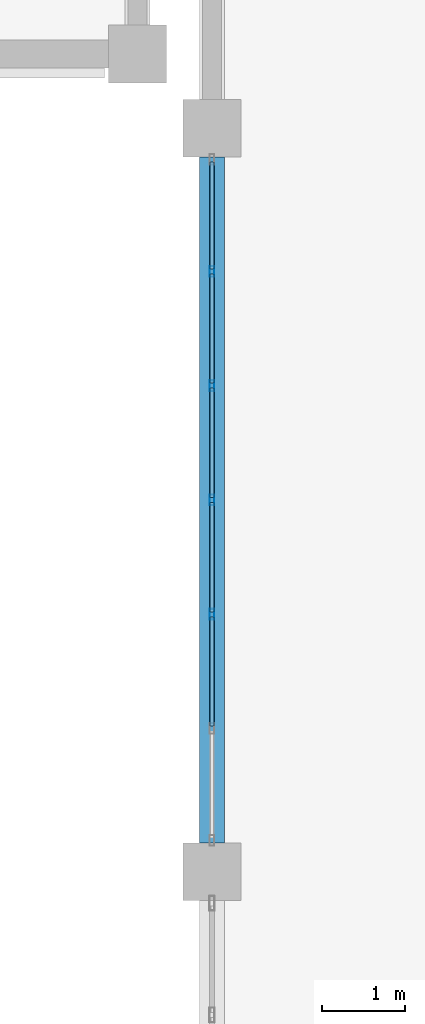
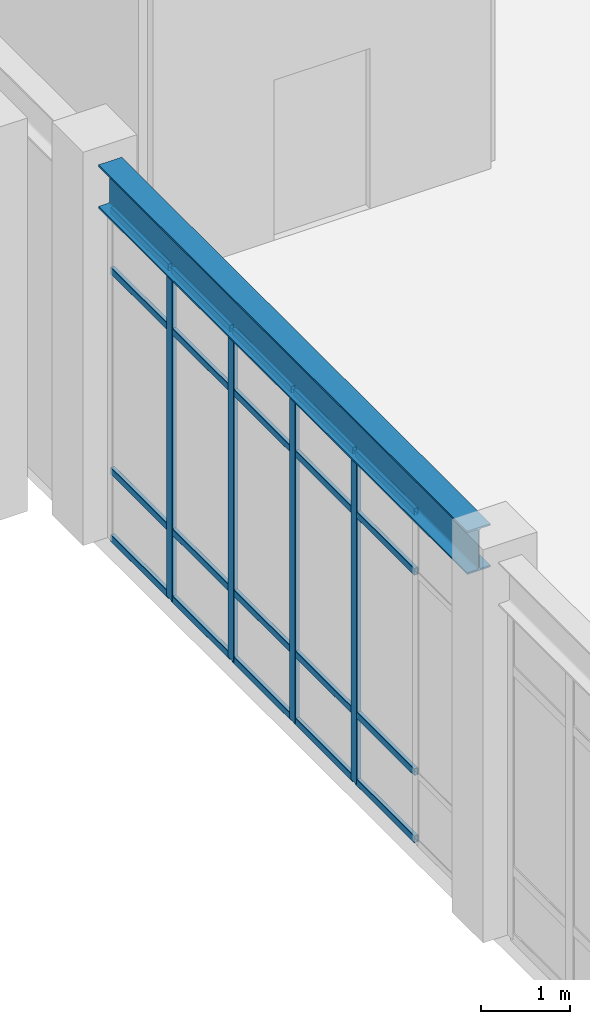
# One storey, part 35 of 80: 24 members, 1 beam, 1 element without a shape of its own.
"""IFC4 building model written with IfcOpenShell, lengths in metres."""

import ifcopenshell
import ifcopenshell.guid

model = None  # the IFC model being written
_history = None  # IfcOwnerHistory: only IFC2X3 demands one
_inside = {}  # id of a spatial element -> (the spatial element, [elements in it])
_under = {}  # id of a project, library or spatial element -> (it, [spatial elements below it])
_declared = {}  # id of a project -> (the project, [libraries it declares])
_typed = {}  # id of a type object -> (the type object, [elements of that type])
_made_of = {}  # id of a material, layer set ... -> (it, [elements and type objects made of it])


def new_model(schema):
    """Start an empty IFC model of exactly this schema.

    Asked for "IFC4X3", IfcOpenShell would pick the latest addendum, in which some entities
    have other attributes; the version numbers below select the first issue.
    IFC2X3 requires an IfcOwnerHistory on every rooted entity: one is made here for all.
    """
    global model, _history
    if schema == "IFC4X3":
        model = ifcopenshell.file(schema_version=(4, 3, 0, 0))
    else:
        model = ifcopenshell.file(schema=schema)
    _inside.clear()
    _under.clear()
    _declared.clear()
    _typed.clear()
    _made_of.clear()
    _history = None
    if model.schema == "IFC2X3":
        org = make("IfcOrganization", Name="unknown")
        user = make(
            "IfcPersonAndOrganization",
            ThePerson=make("IfcPerson", FamilyName="unknown"),
            TheOrganization=org,
        )
        app = make(
            "IfcApplication",
            ApplicationDeveloper=org,
            Version="unknown",
            ApplicationFullName="unknown",
            ApplicationIdentifier="unknown",
        )
        _history = make(
            "IfcOwnerHistory",
            OwningUser=user,
            OwningApplication=app,
            ChangeAction="ADDED",
            CreationDate=0,
        )
    return model


def make(cls, **values):
    """One entity of the class cls with the attributes given. An attribute that is None is left unset."""
    return model.create_entity(
        cls, **{name: value for name, value in values.items() if value is not None}
    )


def rooted(cls, **values):
    """An entity with a GlobalId (a new one), such as an element, a storey or a relation."""
    return make(cls, GlobalId=ifcopenshell.guid.new(), OwnerHistory=_history, **values)


def si_unit(unit_type, name, prefix=None):
    """IfcSIUnit, for example si_unit("LENGTHUNIT", "METRE", prefix="MILLI")."""
    return make("IfcSIUnit", UnitType=unit_type, Prefix=prefix, Name=name)


def assignment(units):
    """IfcUnitAssignment: the units of a project."""
    return None if units is None else make("IfcUnitAssignment", Units=units)


def point(xyz):
    """IfcCartesianPoint."""
    return None if xyz is None else make("IfcCartesianPoint", Coordinates=xyz)


def direction(xyz):
    """IfcDirection."""
    return None if xyz is None else make("IfcDirection", DirectionRatios=xyz)


def frame(location, z_axis=None, x_axis=None):
    """IfcAxis2Placement3D, a coordinate frame: its origin and axes. An axis left out is left unset."""
    return make(
        "IfcAxis2Placement3D",
        Location=point(location),
        Axis=direction(z_axis),
        RefDirection=direction(x_axis),
    )


def frame_2d(location, x_axis=None):
    """IfcAxis2Placement2D, a coordinate frame in the plane: its origin and x axis."""
    return make(
        "IfcAxis2Placement2D", Location=point(location), RefDirection=direction(x_axis)
    )


def origin():
    """The frame at (0, 0, 0) with its axes left unset."""
    return frame((0.0, 0.0, 0.0))


def origin_2d():
    """The frame at (0, 0) in the plane with its x axis left unset."""
    return frame_2d((0.0, 0.0))


def place(relative_to, where):
    """IfcLocalPlacement: puts the frame where relative to a parent placement (None: the world)."""
    return make(
        "IfcLocalPlacement", PlacementRelTo=relative_to, RelativePlacement=where
    )


def context(
    kind, dimensions, precision=None, world=None, true_north=None, identifier=None
):
    """IfcGeometricRepresentationContext, for example the 3D "Model" context."""
    return make(
        "IfcGeometricRepresentationContext",
        ContextIdentifier=identifier,
        ContextType=kind,
        CoordinateSpaceDimension=dimensions,
        Precision=precision,
        WorldCoordinateSystem=world,
        TrueNorth=true_north,
    )


def subcontext(parent, identifier, kind, view, scale=None):
    """IfcGeometricRepresentationSubContext, for example "Body" below "Model"."""
    return make(
        "IfcGeometricRepresentationSubContext",
        ContextIdentifier=identifier,
        ContextType=kind,
        ParentContext=parent,
        TargetScale=scale,
        TargetView=view,
    )


def project(units=None, contexts=None):
    """IfcProject with its units and contexts."""
    return rooted(
        "IfcProject",
        Name="project",
        RepresentationContexts=contexts,
        UnitsInContext=assignment(units),
    )


def spatial(cls, under=None, at=None, **own):
    """A site, building, storey or space (cls), placed at a placement, below another one or the project."""
    s = rooted(cls, ObjectPlacement=at, **own)
    if under is not None:
        _under.setdefault(under.id(), (under, []))[1].append(s)
    return s


def profile(cls, at=None, kind="AREA", **sizes):
    """A parametric profile (cls). Its sizes go by their IFC names, for example OverallWidth=200.0."""
    return make(cls, ProfileType=kind, Position=at, **sizes)


def hollow_rectangle(**sizes):
    """IfcRectangleHollowProfileDef."""
    return profile("IfcRectangleHollowProfileDef", **sizes)


def i_section(**sizes):
    """IfcIShapeProfileDef."""
    return profile("IfcIShapeProfileDef", **sizes)


def extrude(swept, where, along, depth):
    """IfcExtrudedAreaSolid: the profile swept, set in the frame where, extruded along a direction by depth."""
    return make(
        "IfcExtrudedAreaSolid",
        SweptArea=swept,
        Position=where,
        ExtrudedDirection=direction(along),
        Depth=depth,
    )


def shape(context_of_items, identifier, shape_type, items):
    """IfcShapeRepresentation: the items that make up one representation, for example the "Body"."""
    return make(
        "IfcShapeRepresentation",
        ContextOfItems=context_of_items,
        RepresentationIdentifier=identifier,
        RepresentationType=shape_type,
        Items=items,
    )


def material(Name=None, Category=None):
    """IfcMaterial."""
    return make("IfcMaterial", Name=Name, Category=Category)


def material_profile(
    of_material, cross_section, Name=None, Category=None, Priority=None
):
    """IfcMaterialProfile: a cross section and its material."""
    return make(
        "IfcMaterialProfile",
        Name=Name,
        Material=of_material,
        Profile=cross_section,
        Priority=Priority,
        Category=Category,
    )


def profile_set(profiles, Name=None, composite=None):
    """IfcMaterialProfileSet."""
    return make(
        "IfcMaterialProfileSet",
        Name=Name,
        MaterialProfiles=profiles,
        CompositeProfile=composite,
    )


def made_of(thing, what):
    """Note that an element or type object is made of a material, layer set ...; save() writes the relation."""
    if what is not None:
        _made_of.setdefault(what.id(), (what, []))[1].append(thing)
    return thing


def type_object(cls, material=None, **own):
    """A type object (cls), such as IfcWallType, which elements share."""
    return made_of(rooted(cls, **own), material)


def element(
    cls,
    number,
    at=None,
    inside=None,
    cuts=None,
    type_object=None,
    material=None,
    context=None,
    identifier="Body",
    shape_type=None,
    held_by="IfcProductDefinitionShape",
    body=None,
    shapes=None,
    **own,
):
    """One element of the class cls, such as IfcWall. Its Tag is "e" and its number.

    at: its placement. inside: the storey or other place that contains it. cuts: it is an
    opening in that element (IfcRelVoidsElement). A single representation is given by context,
    identifier, shape_type and body (its items); several are given by shapes. held_by: the class
    of the entity that holds the representations. save() writes the other relations.
    """
    e = rooted(cls, Tag="e%d" % number, ObjectPlacement=at, **own)
    if body is not None:
        shapes = [shape(context, identifier, shape_type, body)]
    if shapes is not None:
        e.Representation = make(held_by, Representations=shapes)
    if inside is not None:
        _inside.setdefault(inside.id(), (inside, []))[1].append(e)
    if cuts is not None:
        rooted(
            "IfcRelVoidsElement", RelatingBuildingElement=cuts, RelatedOpeningElement=e
        )
    if type_object is not None:
        _typed.setdefault(type_object.id(), (type_object, []))[1].append(e)
    return made_of(e, material)


def aggregate(whole, parts):
    """IfcRelAggregates: a whole, such as a stair, and the parts it consists of."""
    return rooted("IfcRelAggregates", RelatingObject=whole, RelatedObjects=parts)


def save(model, path):
    """Write the relations noted so far, then the file.

    IfcRelAggregates (storeys below a building ...), IfcRelContainedInSpatialStructure (elements
    in a storey), IfcRelDefinesByType, IfcRelAssociatesMaterial and IfcRelDeclares: one each for
    every whole, place, type object, material and project.
    """
    for whole, parts in _under.values():
        aggregate(whole, parts)
    for where, things in _inside.values():
        rooted(
            "IfcRelContainedInSpatialStructure",
            RelatedElements=things,
            RelatingStructure=where,
        )
    for kind, things in _typed.values():
        rooted("IfcRelDefinesByType", RelatedObjects=things, RelatingType=kind)
    for what, things in _made_of.values():
        rooted("IfcRelAssociatesMaterial", RelatedObjects=things, RelatingMaterial=what)
    for by, libraries in _declared.values():
        rooted("IfcRelDeclares", RelatingContext=by, RelatedDefinitions=libraries)
    model.write(path)


model = new_model("IFC4")

# Units and contexts
model_context = context("Model", 3, precision=1e-05, world=origin(), true_north=direction((0.0, 1.0)))
body_context = subcontext(model_context, "Body", "Model", "MODEL_VIEW")
ifc_project = project(units=[si_unit("LENGTHUNIT", "METRE"), si_unit("AREAUNIT", "SQUARE_METRE"), si_unit("VOLUMEUNIT", "CUBIC_METRE"), si_unit("PLANEANGLEUNIT", "RADIAN"), si_unit("MASSUNIT", "GRAM", prefix="KILO")], contexts=[model_context])

# Site, building, storey
site_placement = place(None, origin())
site = spatial("IfcSite", under=ifc_project, at=site_placement, CompositionType="ELEMENT")
building_placement = place(site_placement, origin())
building = spatial("IfcBuilding", under=site, at=building_placement, Name="Canglan Escarpment Cableway Terminal", CompositionType="ELEMENT")
storey_placement = place(building_placement, frame((0.0, 0.0, 19.199951171875)))
storey = spatial("IfcBuildingStorey", under=building, at=storey_placement, Name="L04", CompositionType="ELEMENT", Elevation=19.199951171875)

# Beam
ifc_material_1 = material(Name="Steel Q355C", Category="steel")
ifc_material_profile_1 = material_profile(ifc_material_1, i_section(OverallWidth=0.302001953125, OverallDepth=0.593994140625, WebThickness=0.013916015625, FlangeThickness=0.02294921875, FilletRadius=0.028076171875, at=origin_2d()), Name="HM 594x302x14x23")
ifc_profile_set_1 = profile_set([ifc_material_profile_1], Name="Steel Q355C")
beam_type = type_object("IfcBeamType", Name="BM-HM594", PredefinedType="BEAM", material=ifc_profile_set_1)
beam_placement = place(storey_placement, frame((137.60009765625, 79.35009765625, 4.863037109375), z_axis=(0.0, 1.0, 0.0), x_axis=(-1.0, 0.0, 0.0)))
element("IfcBeam", 1, at=beam_placement, inside=storey, type_object=beam_type, Name="Primary transverse girder B-07", PredefinedType="BEAM", context=body_context, shape_type="SweptSolid", body=[
    extrude(i_section(OverallWidth=0.302001953125, OverallDepth=0.593994140625, WebThickness=0.013916015625, FlangeThickness=0.02294921875, FilletRadius=0.028076171875, at=origin_2d()), origin(), (0.0, 0.0, 1.0), 8.2998046875),
])

# Curtain wall, members
ifc_material_2 = material(Name="Anodized bronze aluminium and Low-E double glazing", Category="aluminium")
curtain_wall_type = type_object("IfcCurtainWallType", Name="CW-BAY-8300x4550", PredefinedType="NOTDEFINED", material=ifc_material_2)
curtain_wall_placement = place(storey_placement, origin())
curtain_wall = element("IfcCurtainWall", 2, at=curtain_wall_placement, inside=storey, type_object=curtain_wall_type, Name="Classical bay-between-piers glazed curtain wall CW-64", PredefinedType="NOTDEFINED")
ifc_material_3 = material(Name="Thermally broken anodized aluminium 6063-T6", Category="aluminium")
ifc_material_profile_2 = material_profile(ifc_material_3, hollow_rectangle(XDim=0.06005859375, YDim=0.1298828125, WallThickness=0.0029296875, InnerFilletRadius=0.0029296875, OuterFilletRadius=0.006103515625, at=origin_2d()), Name="ALU-MULL 60x130x3")
ifc_profile_set_2 = profile_set([ifc_material_profile_2], Name="Thermally broken anodized aluminium 6063-T6")
member_type_1 = type_object("IfcMemberType", Name="CWM-01", PredefinedType="MULLION", material=ifc_profile_set_2)
member_1_placement = place(storey_placement, frame((137.60009765625, 86.2666015625, 0.0), z_axis=(0.0, 0.0, 1.0), x_axis=(1.0, 0.0, 0.0)))
member_1 = element("IfcMember", 3, at=member_1_placement, type_object=member_type_1, Name="CW-64 mullion 2", PredefinedType="MULLION", context=body_context, shape_type="SweptSolid", body=[
    extrude(hollow_rectangle(XDim=0.06005859375, YDim=0.1298828125, WallThickness=0.0029296875, InnerFilletRadius=0.0029296875, OuterFilletRadius=0.006103515625, at=origin_2d()), origin(), (0.0, 0.0, 1.0), 4.551025390625),
])
member_2_placement = place(storey_placement, frame((137.60009765625, 84.88330078125, 0.0), z_axis=(0.0, 0.0, 1.0), x_axis=(1.0, 0.0, 0.0)))
member_2 = element("IfcMember", 4, at=member_2_placement, type_object=member_type_1, Name="CW-64 mullion 3", PredefinedType="MULLION", context=body_context, shape_type="SweptSolid", body=[
    extrude(hollow_rectangle(XDim=0.06005859375, YDim=0.1298828125, WallThickness=0.0029296875, InnerFilletRadius=0.0029296875, OuterFilletRadius=0.006103515625, at=origin_2d()), origin(), (0.0, 0.0, 1.0), 4.551025390625),
])
member_3_placement = place(storey_placement, frame((137.60009765625, 83.5, 0.0), z_axis=(0.0, 0.0, 1.0), x_axis=(1.0, 0.0, 0.0)))
member_3 = element("IfcMember", 5, at=member_3_placement, type_object=member_type_1, Name="CW-64 mullion 4", PredefinedType="MULLION", context=body_context, shape_type="SweptSolid", body=[
    extrude(hollow_rectangle(XDim=0.06005859375, YDim=0.1298828125, WallThickness=0.0029296875, InnerFilletRadius=0.0029296875, OuterFilletRadius=0.006103515625, at=origin_2d()), origin(), (0.0, 0.0, 1.0), 4.551025390625),
])
member_4_placement = place(storey_placement, frame((137.60009765625, 82.11669921875, 0.0), z_axis=(0.0, 0.0, 1.0), x_axis=(1.0, 0.0, 0.0)))
member_4 = element("IfcMember", 6, at=member_4_placement, type_object=member_type_1, Name="CW-64 mullion 5", PredefinedType="MULLION", context=body_context, shape_type="SweptSolid", body=[
    extrude(hollow_rectangle(XDim=0.06005859375, YDim=0.1298828125, WallThickness=0.0029296875, InnerFilletRadius=0.0029296875, OuterFilletRadius=0.006103515625, at=origin_2d()), origin(), (0.0, 0.0, 1.0), 4.551025390625),
])
ifc_material_profile_3 = material_profile(ifc_material_3, hollow_rectangle(XDim=0.054931640625, YDim=0.094970703125, WallThickness=0.0029296875, InnerFilletRadius=0.0029296875, OuterFilletRadius=0.006103515625, at=origin_2d()), Name="ALU-TRAN 55x95x3")
ifc_profile_set_3 = profile_set([ifc_material_profile_3], Name="Thermally broken anodized aluminium 6063-T6")
member_type_2 = type_object("IfcMemberType", Name="CWT-01", PredefinedType="USERDEFINED", material=ifc_profile_set_3)
member_5_placement = place(storey_placement, frame((137.60009765625, 87.590087890625, 0.027587890625), z_axis=(0.0, -1.0, 0.0), x_axis=(1.0, 0.0, 0.0)))
member_5 = element("IfcMember", 7, at=member_5_placement, type_object=member_type_2, Name="CW-64 transom 1.1", ObjectType="TRANSOM", PredefinedType="USERDEFINED", context=body_context, shape_type="SweptSolid", body=[
    extrude(hollow_rectangle(XDim=0.054931640625, YDim=0.094970703125, WallThickness=0.0029296875, InnerFilletRadius=0.0029296875, OuterFilletRadius=0.006103515625, at=origin_2d()), origin(), (0.0, 0.0, 1.0), 1.29345703125),
])
member_6_placement = place(storey_placement, frame((137.60009765625, 87.590087890625, 0.949951171875), z_axis=(0.0, -1.0, 0.0), x_axis=(1.0, 0.0, 0.0)))
member_6 = element("IfcMember", 8, at=member_6_placement, type_object=member_type_2, Name="CW-64 transom 1.2", ObjectType="TRANSOM", PredefinedType="USERDEFINED", context=body_context, shape_type="SweptSolid", body=[
    extrude(hollow_rectangle(XDim=0.054931640625, YDim=0.094970703125, WallThickness=0.0029296875, InnerFilletRadius=0.0029296875, OuterFilletRadius=0.006103515625, at=origin_2d()), origin(), (0.0, 0.0, 1.0), 1.29345703125),
])
member_7_placement = place(storey_placement, frame((137.60009765625, 87.590087890625, 3.700927734375), z_axis=(0.0, -1.0, 0.0), x_axis=(1.0, 0.0, 0.0)))
member_7 = element("IfcMember", 9, at=member_7_placement, type_object=member_type_2, Name="CW-64 transom 1.3", ObjectType="TRANSOM", PredefinedType="USERDEFINED", context=body_context, shape_type="SweptSolid", body=[
    extrude(hollow_rectangle(XDim=0.054931640625, YDim=0.094970703125, WallThickness=0.0029296875, InnerFilletRadius=0.0029296875, OuterFilletRadius=0.006103515625, at=origin_2d()), origin(), (0.0, 0.0, 1.0), 1.29345703125),
])
member_8_placement = place(storey_placement, frame((137.60009765625, 87.590087890625, 4.5234375), z_axis=(0.0, -1.0, 0.0), x_axis=(1.0, 0.0, 0.0)))
member_8 = element("IfcMember", 10, at=member_8_placement, type_object=member_type_2, Name="CW-64 transom 1.4", ObjectType="TRANSOM", PredefinedType="USERDEFINED", context=body_context, shape_type="SweptSolid", body=[
    extrude(hollow_rectangle(XDim=0.054931640625, YDim=0.094970703125, WallThickness=0.0029296875, InnerFilletRadius=0.0029296875, OuterFilletRadius=0.006103515625, at=origin_2d()), origin(), (0.0, 0.0, 1.0), 1.29345703125),
])
member_9_placement = place(storey_placement, frame((137.60009765625, 86.236572265625, 0.027587890625), z_axis=(0.0, -1.0, 0.0), x_axis=(1.0, 0.0, 0.0)))
member_9 = element("IfcMember", 11, at=member_9_placement, type_object=member_type_2, Name="CW-64 transom 2.1", ObjectType="TRANSOM", PredefinedType="USERDEFINED", context=body_context, shape_type="SweptSolid", body=[
    extrude(hollow_rectangle(XDim=0.054931640625, YDim=0.094970703125, WallThickness=0.0029296875, InnerFilletRadius=0.0029296875, OuterFilletRadius=0.006103515625, at=origin_2d()), origin(), (0.0, 0.0, 1.0), 1.3232421875),
])
member_10_placement = place(storey_placement, frame((137.60009765625, 86.236572265625, 0.949951171875), z_axis=(0.0, -1.0, 0.0), x_axis=(1.0, 0.0, 0.0)))
member_10 = element("IfcMember", 12, at=member_10_placement, type_object=member_type_2, Name="CW-64 transom 2.2", ObjectType="TRANSOM", PredefinedType="USERDEFINED", context=body_context, shape_type="SweptSolid", body=[
    extrude(hollow_rectangle(XDim=0.054931640625, YDim=0.094970703125, WallThickness=0.0029296875, InnerFilletRadius=0.0029296875, OuterFilletRadius=0.006103515625, at=origin_2d()), origin(), (0.0, 0.0, 1.0), 1.3232421875),
])
member_11_placement = place(storey_placement, frame((137.60009765625, 86.236572265625, 3.700927734375), z_axis=(0.0, -1.0, 0.0), x_axis=(1.0, 0.0, 0.0)))
member_11 = element("IfcMember", 13, at=member_11_placement, type_object=member_type_2, Name="CW-64 transom 2.3", ObjectType="TRANSOM", PredefinedType="USERDEFINED", context=body_context, shape_type="SweptSolid", body=[
    extrude(hollow_rectangle(XDim=0.054931640625, YDim=0.094970703125, WallThickness=0.0029296875, InnerFilletRadius=0.0029296875, OuterFilletRadius=0.006103515625, at=origin_2d()), origin(), (0.0, 0.0, 1.0), 1.3232421875),
])
member_12_placement = place(storey_placement, frame((137.60009765625, 86.236572265625, 4.5234375), z_axis=(0.0, -1.0, 0.0), x_axis=(1.0, 0.0, 0.0)))
member_12 = element("IfcMember", 14, at=member_12_placement, type_object=member_type_2, Name="CW-64 transom 2.4", ObjectType="TRANSOM", PredefinedType="USERDEFINED", context=body_context, shape_type="SweptSolid", body=[
    extrude(hollow_rectangle(XDim=0.054931640625, YDim=0.094970703125, WallThickness=0.0029296875, InnerFilletRadius=0.0029296875, OuterFilletRadius=0.006103515625, at=origin_2d()), origin(), (0.0, 0.0, 1.0), 1.3232421875),
])
member_13_placement = place(storey_placement, frame((137.60009765625, 84.853271484375, 0.027587890625), z_axis=(0.0, -1.0, 0.0), x_axis=(1.0, 0.0, 0.0)))
member_13 = element("IfcMember", 15, at=member_13_placement, type_object=member_type_2, Name="CW-64 transom 3.1", ObjectType="TRANSOM", PredefinedType="USERDEFINED", context=body_context, shape_type="SweptSolid", body=[
    extrude(hollow_rectangle(XDim=0.054931640625, YDim=0.094970703125, WallThickness=0.0029296875, InnerFilletRadius=0.0029296875, OuterFilletRadius=0.006103515625, at=origin_2d()), origin(), (0.0, 0.0, 1.0), 1.3232421875),
])
member_14_placement = place(storey_placement, frame((137.60009765625, 84.853271484375, 0.949951171875), z_axis=(0.0, -1.0, 0.0), x_axis=(1.0, 0.0, 0.0)))
member_14 = element("IfcMember", 16, at=member_14_placement, type_object=member_type_2, Name="CW-64 transom 3.2", ObjectType="TRANSOM", PredefinedType="USERDEFINED", context=body_context, shape_type="SweptSolid", body=[
    extrude(hollow_rectangle(XDim=0.054931640625, YDim=0.094970703125, WallThickness=0.0029296875, InnerFilletRadius=0.0029296875, OuterFilletRadius=0.006103515625, at=origin_2d()), origin(), (0.0, 0.0, 1.0), 1.3232421875),
])
member_15_placement = place(storey_placement, frame((137.60009765625, 84.853271484375, 3.700927734375), z_axis=(0.0, -1.0, 0.0), x_axis=(1.0, 0.0, 0.0)))
member_15 = element("IfcMember", 17, at=member_15_placement, type_object=member_type_2, Name="CW-64 transom 3.3", ObjectType="TRANSOM", PredefinedType="USERDEFINED", context=body_context, shape_type="SweptSolid", body=[
    extrude(hollow_rectangle(XDim=0.054931640625, YDim=0.094970703125, WallThickness=0.0029296875, InnerFilletRadius=0.0029296875, OuterFilletRadius=0.006103515625, at=origin_2d()), origin(), (0.0, 0.0, 1.0), 1.3232421875),
])
member_16_placement = place(storey_placement, frame((137.60009765625, 84.853271484375, 4.5234375), z_axis=(0.0, -1.0, 0.0), x_axis=(1.0, 0.0, 0.0)))
member_16 = element("IfcMember", 18, at=member_16_placement, type_object=member_type_2, Name="CW-64 transom 3.4", ObjectType="TRANSOM", PredefinedType="USERDEFINED", context=body_context, shape_type="SweptSolid", body=[
    extrude(hollow_rectangle(XDim=0.054931640625, YDim=0.094970703125, WallThickness=0.0029296875, InnerFilletRadius=0.0029296875, OuterFilletRadius=0.006103515625, at=origin_2d()), origin(), (0.0, 0.0, 1.0), 1.3232421875),
])
member_17_placement = place(storey_placement, frame((137.60009765625, 83.469970703125, 0.027587890625), z_axis=(0.0, -1.0, 0.0), x_axis=(1.0, 0.0, 0.0)))
member_17 = element("IfcMember", 19, at=member_17_placement, type_object=member_type_2, Name="CW-64 transom 4.1", ObjectType="TRANSOM", PredefinedType="USERDEFINED", context=body_context, shape_type="SweptSolid", body=[
    extrude(hollow_rectangle(XDim=0.054931640625, YDim=0.094970703125, WallThickness=0.0029296875, InnerFilletRadius=0.0029296875, OuterFilletRadius=0.006103515625, at=origin_2d()), origin(), (0.0, 0.0, 1.0), 1.3232421875),
])
member_18_placement = place(storey_placement, frame((137.60009765625, 83.469970703125, 0.949951171875), z_axis=(0.0, -1.0, 0.0), x_axis=(1.0, 0.0, 0.0)))
member_18 = element("IfcMember", 20, at=member_18_placement, type_object=member_type_2, Name="CW-64 transom 4.2", ObjectType="TRANSOM", PredefinedType="USERDEFINED", context=body_context, shape_type="SweptSolid", body=[
    extrude(hollow_rectangle(XDim=0.054931640625, YDim=0.094970703125, WallThickness=0.0029296875, InnerFilletRadius=0.0029296875, OuterFilletRadius=0.006103515625, at=origin_2d()), origin(), (0.0, 0.0, 1.0), 1.3232421875),
])
member_19_placement = place(storey_placement, frame((137.60009765625, 83.469970703125, 3.700927734375), z_axis=(0.0, -1.0, 0.0), x_axis=(1.0, 0.0, 0.0)))
member_19 = element("IfcMember", 21, at=member_19_placement, type_object=member_type_2, Name="CW-64 transom 4.3", ObjectType="TRANSOM", PredefinedType="USERDEFINED", context=body_context, shape_type="SweptSolid", body=[
    extrude(hollow_rectangle(XDim=0.054931640625, YDim=0.094970703125, WallThickness=0.0029296875, InnerFilletRadius=0.0029296875, OuterFilletRadius=0.006103515625, at=origin_2d()), origin(), (0.0, 0.0, 1.0), 1.3232421875),
])
member_20_placement = place(storey_placement, frame((137.60009765625, 83.469970703125, 4.5234375), z_axis=(0.0, -1.0, 0.0), x_axis=(1.0, 0.0, 0.0)))
member_20 = element("IfcMember", 22, at=member_20_placement, type_object=member_type_2, Name="CW-64 transom 4.4", ObjectType="TRANSOM", PredefinedType="USERDEFINED", context=body_context, shape_type="SweptSolid", body=[
    extrude(hollow_rectangle(XDim=0.054931640625, YDim=0.094970703125, WallThickness=0.0029296875, InnerFilletRadius=0.0029296875, OuterFilletRadius=0.006103515625, at=origin_2d()), origin(), (0.0, 0.0, 1.0), 1.3232421875),
])
member_21_placement = place(storey_placement, frame((137.60009765625, 82.086669921875, 0.027587890625), z_axis=(0.0, -1.0, 0.0), x_axis=(1.0, 0.0, 0.0)))
member_21 = element("IfcMember", 23, at=member_21_placement, type_object=member_type_2, Name="CW-64 transom 5.1", ObjectType="TRANSOM", PredefinedType="USERDEFINED", context=body_context, shape_type="SweptSolid", body=[
    extrude(hollow_rectangle(XDim=0.054931640625, YDim=0.094970703125, WallThickness=0.0029296875, InnerFilletRadius=0.0029296875, OuterFilletRadius=0.006103515625, at=origin_2d()), origin(), (0.0, 0.0, 1.0), 1.3232421875),
])
member_22_placement = place(storey_placement, frame((137.60009765625, 82.086669921875, 0.949951171875), z_axis=(0.0, -1.0, 0.0), x_axis=(1.0, 0.0, 0.0)))
member_22 = element("IfcMember", 24, at=member_22_placement, type_object=member_type_2, Name="CW-64 transom 5.2", ObjectType="TRANSOM", PredefinedType="USERDEFINED", context=body_context, shape_type="SweptSolid", body=[
    extrude(hollow_rectangle(XDim=0.054931640625, YDim=0.094970703125, WallThickness=0.0029296875, InnerFilletRadius=0.0029296875, OuterFilletRadius=0.006103515625, at=origin_2d()), origin(), (0.0, 0.0, 1.0), 1.3232421875),
])
member_23_placement = place(storey_placement, frame((137.60009765625, 82.086669921875, 3.700927734375), z_axis=(0.0, -1.0, 0.0), x_axis=(1.0, 0.0, 0.0)))
member_23 = element("IfcMember", 25, at=member_23_placement, type_object=member_type_2, Name="CW-64 transom 5.3", ObjectType="TRANSOM", PredefinedType="USERDEFINED", context=body_context, shape_type="SweptSolid", body=[
    extrude(hollow_rectangle(XDim=0.054931640625, YDim=0.094970703125, WallThickness=0.0029296875, InnerFilletRadius=0.0029296875, OuterFilletRadius=0.006103515625, at=origin_2d()), origin(), (0.0, 0.0, 1.0), 1.3232421875),
])
member_24_placement = place(storey_placement, frame((137.60009765625, 82.086669921875, 4.5234375), z_axis=(0.0, -1.0, 0.0), x_axis=(1.0, 0.0, 0.0)))
member_24 = element("IfcMember", 26, at=member_24_placement, type_object=member_type_2, Name="CW-64 transom 5.4", ObjectType="TRANSOM", PredefinedType="USERDEFINED", context=body_context, shape_type="SweptSolid", body=[
    extrude(hollow_rectangle(XDim=0.054931640625, YDim=0.094970703125, WallThickness=0.0029296875, InnerFilletRadius=0.0029296875, OuterFilletRadius=0.006103515625, at=origin_2d()), origin(), (0.0, 0.0, 1.0), 1.3232421875),
])
aggregate(curtain_wall, [member_1, member_2, member_3, member_4, member_5, member_6, member_7, member_8, member_9, member_10, member_11, member_12, member_13, member_14, member_15, member_16, member_17, member_18, member_19, member_20, member_21, member_22, member_23, member_24])

save(model, "model.ifc")
